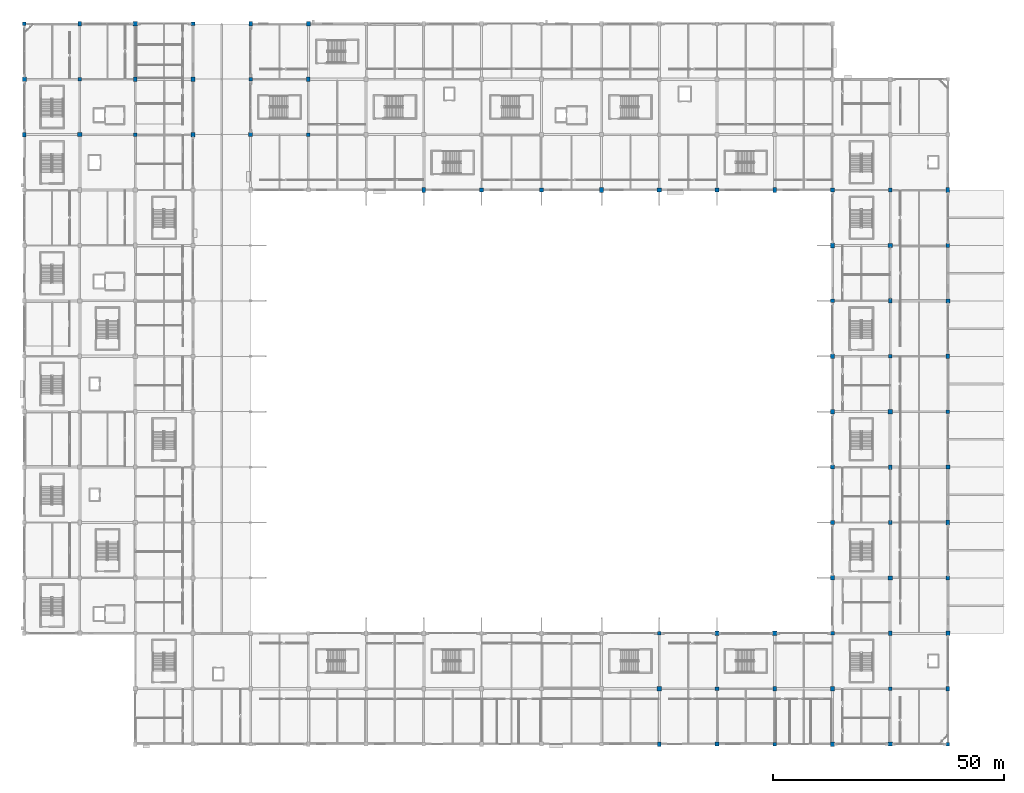
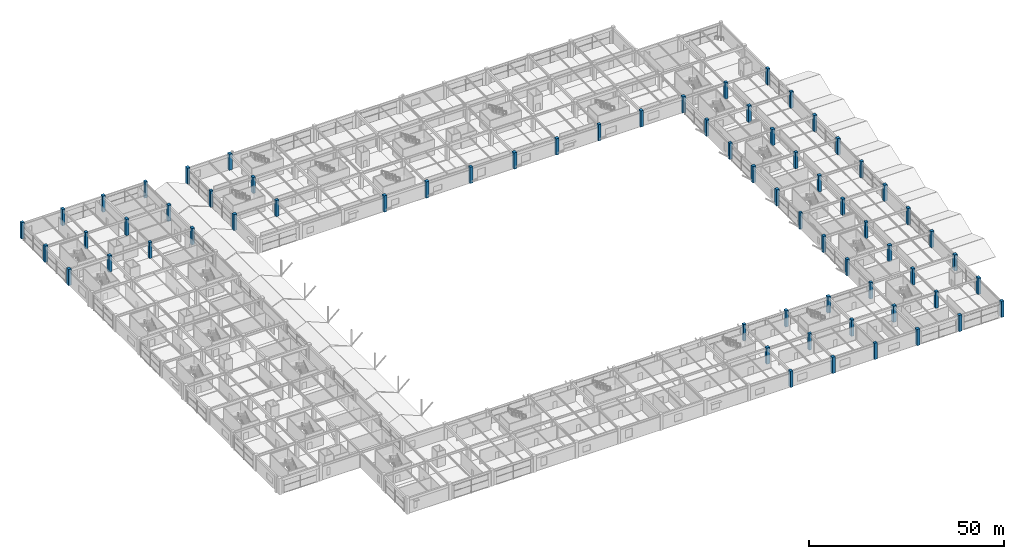
# One storey, part 7 of 116: 67 columns.
"""IFC4 building model written with IfcOpenShell, lengths in metres."""

from ifc_helpers import new_model, si_unit, direction, frame, origin, origin_2d, place, context, subcontext, project, spatial, rectangle, extrude, material, material_profile, profile_set, type_object, element, save


model = new_model("IFC4")

# Units and contexts
model_context = context("Model", 3, precision=1e-05, world=origin(), true_north=direction((0.0, 1.0)))
body_context = subcontext(model_context, "Body", "Model", "MODEL_VIEW")
ifc_project = project(units=[si_unit("LENGTHUNIT", "METRE"), si_unit("AREAUNIT", "SQUARE_METRE"), si_unit("VOLUMEUNIT", "CUBIC_METRE"), si_unit("PLANEANGLEUNIT", "RADIAN"), si_unit("MASSUNIT", "GRAM", prefix="KILO")], contexts=[model_context])

# Site, building, storey
site_placement = place(None, origin())
site = spatial("IfcSite", under=ifc_project, at=site_placement, CompositionType="ELEMENT")
building_placement = place(site_placement, origin())
building = spatial("IfcBuilding", under=site, at=building_placement, Name="Kazenohara Klinker Stadium", CompositionType="ELEMENT")
storey_placement = place(building_placement, frame((0.0, 0.0, 10.199951171875)))
storey = spatial("IfcBuildingStorey", under=building, at=storey_placement, Name="L02", CompositionType="ELEMENT", Elevation=10.199951171875)

# Columns
ifc_material = material(Name="Concrete C40/50", Category="concrete")
ifc_material_profile_1 = material_profile(ifc_material, rectangle(XDim=0.800048828125, YDim=1.0, at=origin_2d()), Name="RC-COL-1000x800")
ifc_profile_set_1 = profile_set([ifc_material_profile_1], Name="Concrete C40/50")
column_type_1 = type_object("IfcColumnType", Name="COL-RC03", PredefinedType="COLUMN", material=ifc_profile_set_1)
for number, where, z_axis, x_axis, name in (
    (1, (0.0, 144.0, 0.0), (0.0, 0.0, 1.0), (1.0, 0.0, 0.0), "Column C03 L02 1/N"),
    (2, (12.0, 168.0, 0.0), (0.0, 0.0, 1.0), (1.0, 0.0, 0.0), "Column C03 L02 2/Q"),
    (3, (24.0, 156.0, 0.0), (0.0, 0.0, 1.0), (1.0, 0.0, 0.0), "Column C03 L02 3/P"),
    (4, (36.5, 144.0, 0.0), (0.0, 0.0, 1.0), (1.0, 0.0, 0.0), "Column C03 L02 4/N"),
    (5, (49.0, 168.0, 0.0), (0.0, 0.0, 1.0), (1.0, 0.0, 0.0), "Column C03 L02 5/Q"),
    (6, (61.5, 156.0, 0.0), (0.0, 0.0, 1.0), (1.0, 0.0, 0.0), "Column C03 L02 6/P"),
    (7, (86.5, 132.0, 0.0), (0.0, 0.0, 1.0), (1.0, 0.0, 0.0), "Column C03 L02 8/M"),
    (8, (125.0, 132.0, 0.0), (0.0, 0.0, 1.0), (1.0, 0.0, 0.0), "Column C03 L02 11/M"),
    (9, (137.5, 12.0, 0.0), (0.0, 0.0, 1.0), (1.0, 0.0, 0.0), "Column C03 L02 12/B"),
    (10, (150.0, 36.0, 0.0), (0.0, 0.0, 1.0), (1.0, 0.0, 0.0), "Column C03 L02 13/D"),
    (11, (162.5, 24.0, 0.0), (0.0, 0.0, 1.0), (1.0, 0.0, 0.0), "Column C03 L02 14/C"),
    (12, (162.5, 132.0, 0.0), (0.0, 0.0, 1.0), (1.0, 0.0, 0.0), "Column C03 L02 14/M"),
    (13, (175.0, 12.0, 0.0), (0.0, 0.0, 1.0), (1.0, 0.0, 0.0), "Column C03 L02 15/B"),
    (14, (175.0, 48.0, 0.0), (0.0, 0.0, 1.0), (1.0, 0.0, 0.0), "Column C03 L02 15/E"),
    (15, (175.0, 84.0, 0.0), (0.0, 0.0, 1.0), (1.0, 0.0, 0.0), "Column C03 L02 15/H"),
    (16, (175.0, 120.0, 0.0), (0.0, 0.0, 1.0), (1.0, 0.0, 0.0), "Column C03 L02 15/L"),
    (17, (187.5, 36.0, 0.0), (0.0, 0.0, 1.0), (1.0, 0.0, 0.0), "Column C03 L02 16/D"),
    (18, (187.5, 72.0, 0.0), (0.0, 0.0, 1.0), (1.0, 0.0, 0.0), "Column C03 L02 16/G"),
    (19, (187.5, 108.0, 0.0), (0.0, 0.0, 1.0), (1.0, 0.0, 0.0), "Column C03 L02 16/K"),
    (20, (200.0, 24.0, 0.0), (0.0, 0.0, 1.0), (1.0, 0.0, 0.0), "Column C03 L02 17/C"),
    (21, (200.0, 60.0, 0.0), (0.0, 0.0, 1.0), (1.0, 0.0, 0.0), "Column C03 L02 17/F"),
    (22, (200.0, 96.0, 0.0), (0.0, 0.0, 1.0), (1.0, 0.0, 0.0), "Column C03 L02 17/J"),
    (23, (200.0, 132.0, 0.0), (0.0, 0.0, 1.0), (1.0, 0.0, 0.0), "Column C03 L02 17/M"),
):
    element("IfcColumn", number, at=place(storey_placement, frame(where, z_axis=z_axis, x_axis=x_axis)), inside=storey, type_object=column_type_1, Name=name, PredefinedType="COLUMN", context=body_context, shape_type="SweptSolid", body=[
        extrude(rectangle(XDim=0.800048828125, YDim=1.0, at=origin_2d()), origin(), (0.0, 0.0, 1.0), 5.10009765625),
    ])
ifc_material_profile_2 = material_profile(ifc_material, rectangle(XDim=0.89990234375, YDim=0.89990234375, at=origin_2d()), Name="RC-COL-900x900")
ifc_profile_set_2 = profile_set([ifc_material_profile_2], Name="Concrete C40/50")
column_type_2 = type_object("IfcColumnType", Name="COL-RC04", PredefinedType="COLUMN", material=ifc_profile_set_2)
for number, where, z_axis, x_axis, name in (
    (24, (0.0, 156.0, 0.0), (0.0, 0.0, 1.0), (1.0, 0.0, 0.0), "Column C04 L02 1/P"),
    (25, (12.0, 144.0, 0.0), (0.0, 0.0, 1.0), (1.0, 0.0, 0.0), "Column C04 L02 2/N"),
    (26, (24.0, 168.0, 0.0), (0.0, 0.0, 1.0), (1.0, 0.0, 0.0), "Column C04 L02 3/Q"),
    (27, (36.5, 156.0, 0.0), (0.0, 0.0, 1.0), (1.0, 0.0, 0.0), "Column C04 L02 4/P"),
    (28, (49.0, 144.0, 0.0), (0.0, 0.0, 1.0), (1.0, 0.0, 0.0), "Column C04 L02 5/N"),
    (29, (61.5, 168.0, 0.0), (0.0, 0.0, 1.0), (1.0, 0.0, 0.0), "Column C04 L02 6/Q"),
    (30, (99.0, 132.0, 0.0), (0.0, 0.0, 1.0), (1.0, 0.0, 0.0), "Column C04 L02 9/M"),
    (31, (137.5, 24.0, 0.0), (0.0, 0.0, 1.0), (1.0, 0.0, 0.0), "Column C04 L02 12/C"),
    (32, (137.5, 132.0, 0.0), (0.0, 0.0, 1.0), (1.0, 0.0, 0.0), "Column C04 L02 12/M"),
    (33, (150.0, 12.0, 0.0), (0.0, 0.0, 1.0), (1.0, 0.0, 0.0), "Column C04 L02 13/B"),
    (34, (162.5, 36.0, 0.0), (0.0, 0.0, 1.0), (1.0, 0.0, 0.0), "Column C04 L02 14/D"),
    (35, (175.0, 24.0, 0.0), (0.0, 0.0, 1.0), (1.0, 0.0, 0.0), "Column C04 L02 15/C"),
    (36, (175.0, 60.0, 0.0), (0.0, 0.0, 1.0), (1.0, 0.0, 0.0), "Column C04 L02 15/F"),
    (37, (175.0, 96.0, 0.0), (0.0, 0.0, 1.0), (1.0, 0.0, 0.0), "Column C04 L02 15/J"),
    (38, (175.0, 132.0, 0.0), (0.0, 0.0, 1.0), (1.0, 0.0, 0.0), "Column C04 L02 15/M"),
    (39, (187.5, 12.0, 0.0), (0.0, 0.0, 1.0), (1.0, 0.0, 0.0), "Column C04 L02 16/B"),
    (40, (187.5, 48.0, 0.0), (0.0, 0.0, 1.0), (1.0, 0.0, 0.0), "Column C04 L02 16/E"),
    (41, (187.5, 84.0, 0.0), (0.0, 0.0, 1.0), (1.0, 0.0, 0.0), "Column C04 L02 16/H"),
    (42, (187.5, 120.0, 0.0), (0.0, 0.0, 1.0), (1.0, 0.0, 0.0), "Column C04 L02 16/L"),
    (43, (200.0, 36.0, 0.0), (0.0, 0.0, 1.0), (1.0, 0.0, 0.0), "Column C04 L02 17/D"),
    (44, (200.0, 72.0, 0.0), (0.0, 0.0, 1.0), (1.0, 0.0, 0.0), "Column C04 L02 17/G"),
    (45, (200.0, 108.0, 0.0), (0.0, 0.0, 1.0), (1.0, 0.0, 0.0), "Column C04 L02 17/K"),
):
    element("IfcColumn", number, at=place(storey_placement, frame(where, z_axis=z_axis, x_axis=x_axis)), inside=storey, type_object=column_type_2, Name=name, PredefinedType="COLUMN", context=body_context, shape_type="SweptSolid", body=[
        extrude(rectangle(XDim=0.89990234375, YDim=0.89990234375, at=origin_2d()), origin(), (0.0, 0.0, 1.0), 5.10009765625),
    ])
ifc_material_profile_3 = material_profile(ifc_material, rectangle(XDim=0.800048828125, YDim=0.800048828125, at=origin_2d()), Name="RC-COL-800x800")
ifc_profile_set_3 = profile_set([ifc_material_profile_3], Name="Concrete C40/50")
column_type_3 = type_object("IfcColumnType", Name="COL-RC05", PredefinedType="COLUMN", material=ifc_profile_set_3)
for number, where, z_axis, x_axis, name in (
    (46, (0.0, 168.0, 0.0), (0.0, 0.0, 1.0), (1.0, 0.0, 0.0), "Column C05 L02 1/Q"),
    (47, (12.0, 156.0, 0.0), (0.0, 0.0, 1.0), (1.0, 0.0, 0.0), "Column C05 L02 2/P"),
    (48, (24.0, 144.0, 0.0), (0.0, 0.0, 1.0), (1.0, 0.0, 0.0), "Column C05 L02 3/N"),
    (49, (36.5, 168.0, 0.0), (0.0, 0.0, 1.0), (1.0, 0.0, 0.0), "Column C05 L02 4/Q"),
    (50, (49.0, 156.0, 0.0), (0.0, 0.0, 1.0), (1.0, 0.0, 0.0), "Column C05 L02 5/P"),
    (51, (61.5, 144.0, 0.0), (0.0, 0.0, 1.0), (1.0, 0.0, 0.0), "Column C05 L02 6/N"),
    (52, (112.0, 132.0, 0.0), (0.0, 0.0, 1.0), (1.0, 0.0, 0.0), "Column C05 L02 10/M"),
    (53, (137.5, 36.0, 0.0), (0.0, 0.0, 1.0), (1.0, 0.0, 0.0), "Column C05 L02 12/D"),
    (54, (150.0, 24.0, 0.0), (0.0, 0.0, 1.0), (1.0, 0.0, 0.0), "Column C05 L02 13/C"),
    (55, (150.0, 132.0, 0.0), (0.0, 0.0, 1.0), (1.0, 0.0, 0.0), "Column C05 L02 13/M"),
    (56, (162.5, 12.0, 0.0), (0.0, 0.0, 1.0), (1.0, 0.0, 0.0), "Column C05 L02 14/B"),
    (57, (175.0, 36.0, 0.0), (0.0, 0.0, 1.0), (1.0, 0.0, 0.0), "Column C05 L02 15/D"),
    (58, (175.0, 72.0, 0.0), (0.0, 0.0, 1.0), (1.0, 0.0, 0.0), "Column C05 L02 15/G"),
    (59, (175.0, 108.0, 0.0), (0.0, 0.0, 1.0), (1.0, 0.0, 0.0), "Column C05 L02 15/K"),
    (60, (187.5, 24.0, 0.0), (0.0, 0.0, 1.0), (1.0, 0.0, 0.0), "Column C05 L02 16/C"),
    (61, (187.5, 60.0, 0.0), (0.0, 0.0, 1.0), (1.0, 0.0, 0.0), "Column C05 L02 16/F"),
    (62, (187.5, 96.0, 0.0), (0.0, 0.0, 1.0), (1.0, 0.0, 0.0), "Column C05 L02 16/J"),
    (63, (187.5, 132.0, 0.0), (0.0, 0.0, 1.0), (1.0, 0.0, 0.0), "Column C05 L02 16/M"),
    (64, (200.0, 12.0, 0.0), (0.0, 0.0, 1.0), (1.0, 0.0, 0.0), "Column C05 L02 17/B"),
    (65, (200.0, 48.0, 0.0), (0.0, 0.0, 1.0), (1.0, 0.0, 0.0), "Column C05 L02 17/E"),
    (66, (200.0, 84.0, 0.0), (0.0, 0.0, 1.0), (1.0, 0.0, 0.0), "Column C05 L02 17/H"),
    (67, (200.0, 120.0, 0.0), (0.0, 0.0, 1.0), (1.0, 0.0, 0.0), "Column C05 L02 17/L"),
):
    element("IfcColumn", number, at=place(storey_placement, frame(where, z_axis=z_axis, x_axis=x_axis)), inside=storey, type_object=column_type_3, Name=name, PredefinedType="COLUMN", context=body_context, shape_type="SweptSolid", body=[
        extrude(rectangle(XDim=0.800048828125, YDim=0.800048828125, at=origin_2d()), origin(), (0.0, 0.0, 1.0), 5.10009765625),
    ])

save(model, "model.ifc")
